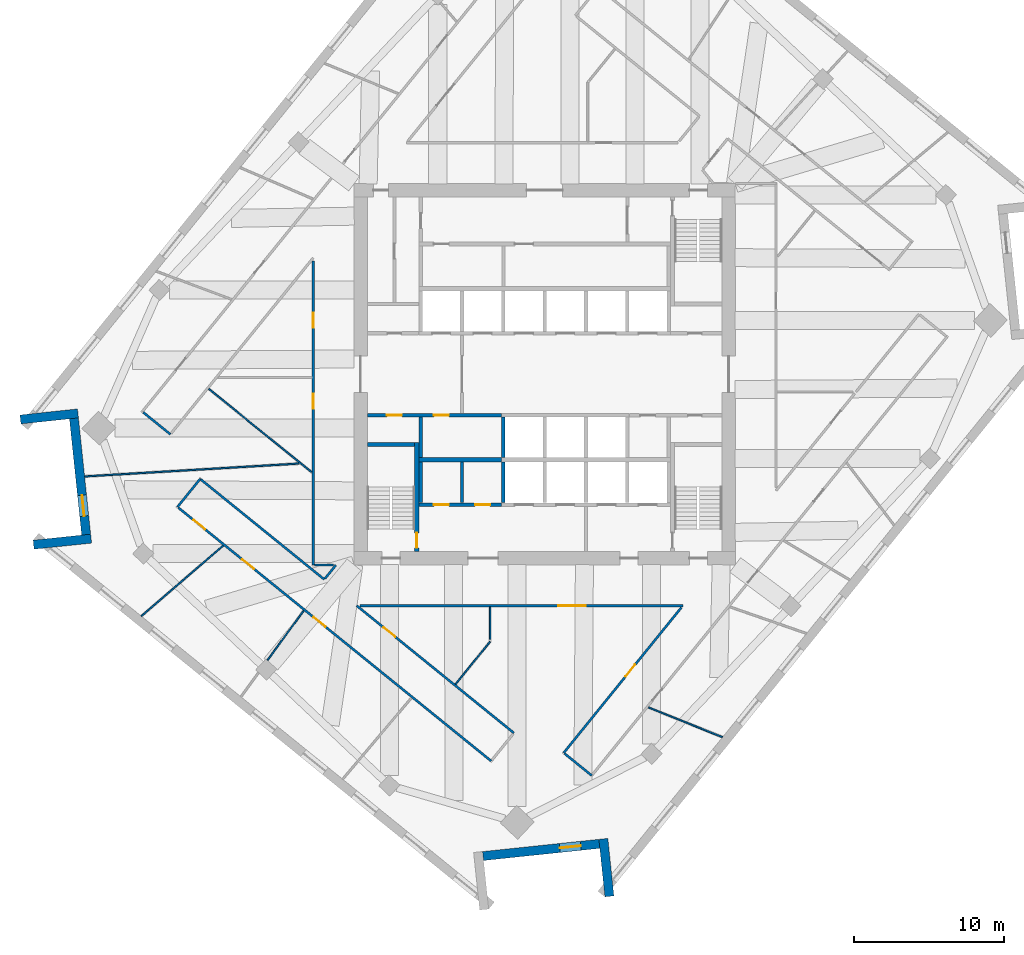
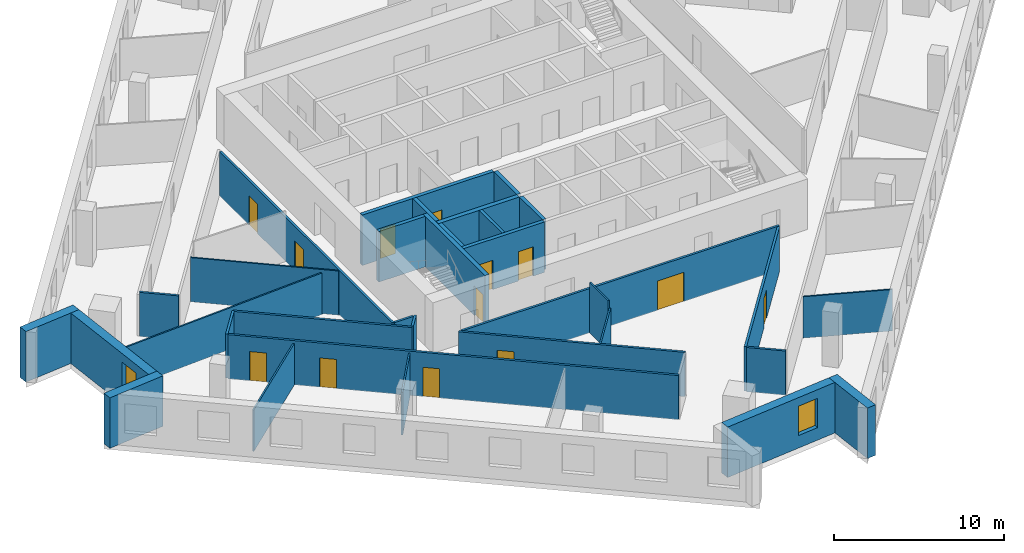
# One storey, part 7 of 14: 33 walls, 13 doors, 2 windows, 15 openings.
"""IFC4 building model written with IfcOpenShell, lengths in metres."""

from ifc_helpers import new_model, si_unit, direction, frame, frame_2d, origin, place, context, subcontext, project, spatial, rectangle, extrude, material, layer, layer_set, type_object, element, fill, save


model = new_model("IFC4")

# Units and contexts
model_context = context("Model", 3, precision=1e-05, world=origin(), true_north=direction((0.0, 1.0)))
body_context = subcontext(model_context, "Body", "Model", "MODEL_VIEW")
ifc_project = project(units=[si_unit("LENGTHUNIT", "METRE"), si_unit("AREAUNIT", "SQUARE_METRE"), si_unit("VOLUMEUNIT", "CUBIC_METRE"), si_unit("PLANEANGLEUNIT", "RADIAN"), si_unit("MASSUNIT", "GRAM", prefix="KILO")], contexts=[model_context])

# Site, building, storey
site_placement = place(None, origin())
site = spatial("IfcSite", under=ifc_project, at=site_placement, CompositionType="ELEMENT")
building_placement = place(site_placement, origin())
building = spatial("IfcBuilding", under=site, at=building_placement, Name="Dilmun Exchange Tower", CompositionType="ELEMENT")
storey_placement = place(building_placement, frame((0.0, 0.0, 229.300048828125)))
storey = spatial("IfcBuildingStorey", under=building, at=storey_placement, Name="L54", CompositionType="ELEMENT", Elevation=229.300048828125)

# Wall
ifc_material_1 = material(Name="Concrete C40/50", Category="concrete")
ifc_layer_1 = layer(ifc_material_1, 0.199951171875)
ifc_layer_set_1 = layer_set([ifc_layer_1], Name="Concrete C40/50")
wall_type_1 = type_object("IfcWallType", Name="Core partition wall 200", PredefinedType="PARTITIONING", material=ifc_layer_set_1)
wall_1_placement = place(storey_placement, frame((-5.5, -8.544921875, 0.0), z_axis=(0.0, 0.0, 1.0), x_axis=(0.0, 1.0, 0.0)))
element("IfcWall", 1, at=wall_1_placement, inside=storey, type_object=wall_type_1, Name="L54 core partition wall 04", PredefinedType="PARTITIONING", context=body_context, shape_type="SweptSolid", body=[
    extrude(rectangle(XDim=2.68994140625, YDim=0.199951171875, at=frame_2d((1.344970703125, 0.0))), origin(), (0.0, 0.0, 1.0), 3.619873046875),
])

# Wall, openings, doors
ifc_layer_2 = layer(ifc_material_1, 0.25)
ifc_layer_set_2 = layer_set([ifc_layer_2], Name="Concrete C40/50")
wall_type_2 = type_object("IfcWallType", Name="Core partition wall 250", PredefinedType="PARTITIONING", material=ifc_layer_set_2)
wall_2_placement = place(storey_placement, frame((-8.3701171875, -8.675048828125, 0.0), z_axis=(0.0, 0.0, 1.0), x_axis=(1.0, 0.0, 0.0)))
wall_2 = element("IfcWall", 2, at=wall_2_placement, inside=storey, type_object=wall_type_2, Name="L54 core partition wall 02", PredefinedType="PARTITIONING", context=body_context, shape_type="SweptSolid", body=[
    extrude(rectangle(XDim=5.490234375, YDim=0.25, at=frame_2d((2.7451171875, 0.0))), origin(), (0.0, 0.0, 1.0), 3.619873046875),
])
opening_1_placement = place(wall_2_placement, frame((0.9951171875, 0.0, 0.0)))
opening_1 = element("IfcOpeningElement", 3, at=opening_1_placement, cuts=wall_2, Name="Opening CD4", PredefinedType="OPENING", context=body_context, shape_type="SweptSolid", body=[
    extrude(rectangle(XDim=1.0, YDim=2.10009765625, at=frame_2d((0.5, 1.050048828125))), frame((0.0, 0.135009765625, 0.0), z_axis=(0.0, -1.0, 0.0), x_axis=(1.0, 0.0, 0.0)), (0.0, 0.0, 1.0), 0.27001953125),
])
opening_2_placement = place(wall_2_placement, frame((3.7451171875, 0.0, 0.0)))
opening_2 = element("IfcOpeningElement", 4, at=opening_2_placement, cuts=wall_2, Name="Opening CD4", PredefinedType="OPENING", context=body_context, shape_type="SweptSolid", body=[
    extrude(rectangle(XDim=1.0, YDim=2.10009765625, at=frame_2d((0.5, 1.050048828125))), frame((0.0, 0.135009765625, 0.0), z_axis=(0.0, -1.0, 0.0), x_axis=(1.0, 0.0, 0.0)), (0.0, 0.0, 1.0), 0.27001953125),
])
ifc_material_2 = material(Name="Fire-rated steel door set", Category="steel")
door_type_1 = type_object("IfcDoorType", Name="Core room door 1000x2100", OperationType="SINGLE_SWING_LEFT", PredefinedType="DOOR", material=ifc_material_2)
door_1_placement = place(opening_1_placement, origin())
door_1 = element("IfcDoor", 5, at=door_1_placement, inside=storey, type_object=door_type_1, Name="L54 door Male WC", OperationType="SINGLE_SWING_LEFT", OverallHeight=2.10009765625, OverallWidth=1.0, PredefinedType="DOOR", context=body_context, shape_type="SweptSolid", body=[
    extrude(rectangle(XDim=1.0, YDim=2.10009765625, at=frame_2d((0.5, 1.050048828125))), frame((0.0, 0.02490234375, 0.0), z_axis=(0.0, -1.0, 0.0), x_axis=(1.0, 0.0, 0.0)), (0.0, 0.0, 1.0), 0.050048828125),
])
fill(opening_1, door_1)
door_2_placement = place(opening_2_placement, origin())
door_2 = element("IfcDoor", 6, at=door_2_placement, inside=storey, type_object=door_type_1, Name="L54 door Female WC", OperationType="SINGLE_SWING_LEFT", OverallHeight=2.10009765625, OverallWidth=1.0, PredefinedType="DOOR", context=body_context, shape_type="SweptSolid", body=[
    extrude(rectangle(XDim=1.0, YDim=2.10009765625, at=frame_2d((0.5, 1.050048828125))), frame((0.0, 0.02490234375, 0.0), z_axis=(0.0, -1.0, 0.0), x_axis=(1.0, 0.0, 0.0)), (0.0, 0.0, 1.0), 0.050048828125),
])
fill(opening_2, door_2)

# Walls
for number, where, z_axis, x_axis, name in (
    (7, (-8.25, -8.544921875, 0.0), (0.0, 0.0, 1.0), (0.0, 1.0, 0.0), "L54 core partition wall 03"),
    (8, (-8.25, -5.544921875, 0.0), (0.0, 0.0, 1.0), (0.0, 1.0, 0.0), "L54 core partition wall 06"),
):
    element("IfcWall", number, at=place(storey_placement, frame(where, z_axis=z_axis, x_axis=x_axis)), inside=storey, type_object=wall_type_2, Name=name, PredefinedType="PARTITIONING", context=body_context, shape_type="SweptSolid", body=[
        extrude(rectangle(XDim=2.68994140625, YDim=0.25, at=frame_2d((1.344970703125, 0.0))), origin(), (0.0, 0.0, 1.0), 3.619873046875),
    ])

# Wall, openings, doors
wall_3_placement = place(storey_placement, frame((-11.794921875, -2.72509765625, 0.0), z_axis=(0.0, 0.0, 1.0), x_axis=(1.0, 0.0, 0.0)))
wall_3 = element("IfcWall", 9, at=wall_3_placement, inside=storey, type_object=wall_type_2, Name="L54 core partition wall 08", PredefinedType="PARTITIONING", context=body_context, shape_type="SweptSolid", body=[
    extrude(rectangle(XDim=8.9150390625, YDim=0.25, at=frame_2d((4.45751953125, 0.0))), origin(), (0.0, 0.0, 1.0), 3.619873046875),
])
opening_3_placement = place(wall_3_placement, frame((1.294921875, 0.0, 0.0)))
opening_3 = element("IfcOpeningElement", 10, at=opening_3_placement, cuts=wall_3, Name="Opening CD4", PredefinedType="OPENING", context=body_context, shape_type="SweptSolid", body=[
    extrude(rectangle(XDim=1.0, YDim=2.10009765625, at=frame_2d((0.5, 1.050048828125))), frame((0.0, 0.135009765625, 0.0), z_axis=(0.0, -1.0, 0.0), x_axis=(1.0, 0.0, 0.0)), (0.0, 0.0, 1.0), 0.27001953125),
])
opening_4_placement = place(wall_3_placement, frame((4.419921875, 0.0, 0.0)))
opening_4 = element("IfcOpeningElement", 11, at=opening_4_placement, cuts=wall_3, Name="Opening CD4", PredefinedType="OPENING", context=body_context, shape_type="SweptSolid", body=[
    extrude(rectangle(XDim=1.0, YDim=2.10009765625, at=frame_2d((0.5, 1.050048828125))), frame((0.0, 0.135009765625, 0.0), z_axis=(0.0, -1.0, 0.0), x_axis=(1.0, 0.0, 0.0)), (0.0, 0.0, 1.0), 0.27001953125),
])
door_3_placement = place(opening_3_placement, origin())
door_3 = element("IfcDoor", 12, at=door_3_placement, inside=storey, type_object=door_type_1, Name="L54 door Accessible WC", OperationType="SINGLE_SWING_LEFT", OverallHeight=2.10009765625, OverallWidth=1.0, PredefinedType="DOOR", context=body_context, shape_type="SweptSolid", body=[
    extrude(rectangle(XDim=1.0, YDim=2.10009765625, at=frame_2d((0.5, 1.050048828125))), frame((0.0, 0.02490234375, 0.0), z_axis=(0.0, -1.0, 0.0), x_axis=(1.0, 0.0, 0.0)), (0.0, 0.0, 1.0), 0.050048828125),
])
fill(opening_3, door_3)
door_4_placement = place(opening_4_placement, origin())
door_4 = element("IfcDoor", 13, at=door_4_placement, inside=storey, type_object=door_type_1, Name="L54 door Archive store", OperationType="SINGLE_SWING_LEFT", OverallHeight=2.10009765625, OverallWidth=1.0, PredefinedType="DOOR", context=body_context, shape_type="SweptSolid", body=[
    extrude(rectangle(XDim=1.0, YDim=2.10009765625, at=frame_2d((0.5, 1.050048828125))), frame((0.0, 0.02490234375, 0.0), z_axis=(0.0, -1.0, 0.0), x_axis=(1.0, 0.0, 0.0)), (0.0, 0.0, 1.0), 0.050048828125),
])
fill(opening_4, door_4)

# Walls
ifc_layer_3 = layer(ifc_material_1, 0.300048828125)
ifc_layer_set_3 = layer_set([ifc_layer_3], Name="Concrete C40/50")
wall_type_3 = type_object("IfcWallType", Name="Core partition wall 300", PredefinedType="PARTITIONING", material=ifc_layer_set_3)
wall_4_placement = place(storey_placement, frame((-8.35009765625, -5.699951171875, 0.0), z_axis=(0.0, 0.0, 1.0), x_axis=(1.0, 0.0, 0.0)))
element("IfcWall", 14, at=wall_4_placement, inside=storey, type_object=wall_type_3, Name="L54 core partition wall 05", PredefinedType="PARTITIONING", context=body_context, shape_type="SweptSolid", body=[
    extrude(rectangle(XDim=5.47021484375, YDim=0.300048828125, at=frame_2d((2.735107421875, 0.0))), origin(), (0.0, 0.0, 1.0), 3.619873046875),
])
ifc_material_3 = material(Name="Corridor wall 150")
ifc_layer_4 = layer(ifc_material_3, 0.14990234375)
ifc_layer_set_4 = layer_set([ifc_layer_4], Name="Corridor wall 150")
wall_type_4 = type_object("IfcWallType", Name="Corridor wall 150", PredefinedType="PARTITIONING", material=ifc_layer_set_4)
wall_5_placement = place(storey_placement, frame((-26.710693359375, -2.5341796875, 0.0), z_axis=(0.0, 0.0, 1.0), x_axis=(0.777166601342, -0.62929490206, 0.0)))
element("IfcWall", 15, at=wall_5_placement, inside=storey, type_object=wall_type_4, Name="Corridor wall", PredefinedType="PARTITIONING", context=body_context, shape_type="SweptSolid", body=[
    extrude(rectangle(XDim=2.32470703125, YDim=0.14990234375, at=frame_2d((1.162353515625, 0.0))), origin(), (0.0, 0.0, 1.0), 3.169921875),
])
wall_6_placement = place(storey_placement, frame((-24.431884765625, -8.8310546875, 0.0), z_axis=(0.0, 0.0, 1.0), x_axis=(0.629201155621, 0.77724250126, 0.0)))
element("IfcWall", 16, at=wall_6_placement, inside=storey, type_object=wall_type_4, Name="Corridor wall", PredefinedType="PARTITIONING", context=body_context, shape_type="SweptSolid", body=[
    extrude(rectangle(XDim=2.3994140625, YDim=0.14990234375, at=frame_2d((1.19970703125, 0.0))), origin(), (0.0, 0.0, 1.0), 3.169921875),
])

# Wall, openings, doors
wall_7_placement = place(storey_placement, frame((-24.373779296875, -8.878173828125, 0.0), z_axis=(0.0, 0.0, 1.0), x_axis=(0.777132572121, -0.629336925143, 0.0)))
wall_7 = element("IfcWall", 17, at=wall_7_placement, inside=storey, type_object=wall_type_4, Name="Corridor wall", PredefinedType="PARTITIONING", context=body_context, shape_type="SweptSolid", body=[
    extrude(rectangle(XDim=26.78515625, YDim=0.14990234375, at=frame_2d((13.392578125, 0.0))), origin(), (0.0, 0.0, 1.0), 3.169921875),
])
opening_5_placement = place(wall_7_placement, frame((1.300048828125, 0.0, 0.0)))
opening_5 = element("IfcOpeningElement", 18, at=opening_5_placement, cuts=wall_7, Name="Opening TF53-D02", PredefinedType="OPENING", context=body_context, shape_type="SweptSolid", body=[
    extrude(rectangle(XDim=1.0, YDim=2.10009765625, at=frame_2d((0.5, 1.050048828125))), frame((0.0, 0.0849609375, 0.0), z_axis=(0.0, -1.0, 0.0), x_axis=(1.0, 0.0, 0.0)), (0.0, 0.0, 1.0), 0.169921875),
])
opening_6_placement = place(wall_7_placement, frame((5.46142578125, 0.0, 0.0)))
opening_6 = element("IfcOpeningElement", 19, at=opening_6_placement, cuts=wall_7, Name="Opening TF53-D03", PredefinedType="OPENING", context=body_context, shape_type="SweptSolid", body=[
    extrude(rectangle(XDim=1.0, YDim=2.10009765625, at=frame_2d((0.5, 1.050048828125))), frame((0.0, 0.0849609375, 0.0), z_axis=(0.0, -1.0, 0.0), x_axis=(1.0, 0.0, 0.0)), (0.0, 0.0, 1.0), 0.169921875),
])
opening_7_placement = place(wall_7_placement, frame((11.586669921875, 0.0, 0.0)))
opening_7 = element("IfcOpeningElement", 20, at=opening_7_placement, cuts=wall_7, Name="Opening TF53-D08", PredefinedType="OPENING", context=body_context, shape_type="SweptSolid", body=[
    extrude(rectangle(XDim=1.0, YDim=2.10009765625, at=frame_2d((0.5, 1.050048828125))), frame((0.0, 0.0849609375, 0.0), z_axis=(0.0, -1.0, 0.0), x_axis=(1.0, 0.0, 0.0)), (0.0, 0.0, 1.0), 0.169921875),
])
ifc_material_4 = material(Name="Fire door 1000 x 2100")
door_type_2 = type_object("IfcDoorType", Name="Fire door 1000 x 2100", OperationType="NOTDEFINED", PredefinedType="DOOR", material=ifc_material_4)
door_5_placement = place(opening_5_placement, frame((1.0, 0.0, 0.0), z_axis=(0.0, 0.0, 1.0), x_axis=(-1.0, 0.0, 0.0)))
door_5 = element("IfcDoor", 21, at=door_5_placement, inside=storey, type_object=door_type_2, Name="Door TF53-D02", OperationType="SINGLE_SWING_LEFT", OverallHeight=2.10009765625, OverallWidth=1.0, PredefinedType="DOOR", context=body_context, shape_type="SweptSolid", body=[
    extrude(rectangle(XDim=1.0, YDim=2.10009765625, at=frame_2d((0.5, 1.050048828125))), frame((0.0, 0.02490234375, 0.0), z_axis=(0.0, -1.0, 0.0), x_axis=(1.0, 0.0, 0.0)), (0.0, 0.0, 1.0), 0.050048828125),
])
fill(opening_5, door_5)
door_6_placement = place(opening_6_placement, frame((1.0, 0.0, 0.0), z_axis=(0.0, 0.0, 1.0), x_axis=(-1.0, 0.0, 0.0)))
door_6 = element("IfcDoor", 22, at=door_6_placement, inside=storey, type_object=door_type_2, Name="Door TF53-D03", OperationType="SINGLE_SWING_LEFT", OverallHeight=2.10009765625, OverallWidth=1.0, PredefinedType="DOOR", context=body_context, shape_type="SweptSolid", body=[
    extrude(rectangle(XDim=1.0, YDim=2.10009765625, at=frame_2d((0.5, 1.050048828125))), frame((0.0, 0.02490234375, 0.0), z_axis=(0.0, -1.0, 0.0), x_axis=(1.0, 0.0, 0.0)), (0.0, 0.0, 1.0), 0.050048828125),
])
fill(opening_6, door_6)
door_7_placement = place(opening_7_placement, frame((1.0, 0.0, 0.0), z_axis=(0.0, 0.0, 1.0), x_axis=(-1.0, 0.0, 0.0)))
door_7 = element("IfcDoor", 23, at=door_7_placement, inside=storey, type_object=door_type_2, Name="Door TF53-D08", OperationType="SINGLE_SWING_RIGHT", OverallHeight=2.10009765625, OverallWidth=1.0, PredefinedType="DOOR", context=body_context, shape_type="SweptSolid", body=[
    extrude(rectangle(XDim=1.0, YDim=2.10009765625, at=frame_2d((0.5, 1.050048828125))), frame((0.0, 0.02490234375, 0.0), z_axis=(0.0, -1.0, 0.0), x_axis=(1.0, 0.0, 0.0)), (0.0, 0.0, 1.0), 0.050048828125),
])
fill(opening_7, door_7)

# Wall
wall_8_placement = place(storey_placement, frame((-22.922119140625, -6.965087890625, 0.0), z_axis=(0.0, 0.0, 1.0), x_axis=(0.777148029431, -0.629317837306, 0.0)))
element("IfcWall", 24, at=wall_8_placement, inside=storey, type_object=wall_type_4, Name="Corridor wall", PredefinedType="PARTITIONING", context=body_context, shape_type="SweptSolid", body=[
    extrude(rectangle(XDim=10.62744140625, YDim=0.14990234375, at=frame_2d((5.313720703125, 0.0))), origin(), (0.0, 0.0, 1.0), 3.169921875),
])

# Wall, openings, doors
wall_9_placement = place(storey_placement, frame((-15.39990234375, -12.699951171875, 0.0), z_axis=(0.0, 0.0, 1.0), x_axis=(0.0, 1.0, 0.0)))
wall_9 = element("IfcWall", 25, at=wall_9_placement, inside=storey, type_object=wall_type_4, Name="Corridor wall", PredefinedType="PARTITIONING", context=body_context, shape_type="SweptSolid", body=[
    extrude(rectangle(XDim=20.22705078125, YDim=0.14990234375, at=frame_2d((10.113525390625, 0.0))), origin(), (0.0, 0.0, 1.0), 3.169921875),
])
opening_8_placement = place(wall_9_placement, frame((10.399658203125, 0.0, 0.0)))
opening_8 = element("IfcOpeningElement", 26, at=opening_8_placement, cuts=wall_9, Name="Opening TF53-D05", PredefinedType="OPENING", context=body_context, shape_type="SweptSolid", body=[
    extrude(rectangle(XDim=1.0, YDim=2.10009765625, at=frame_2d((0.5, 1.050048828125))), frame((0.0, 0.0849609375, 0.0), z_axis=(0.0, -1.0, 0.0), x_axis=(1.0, 0.0, 0.0)), (0.0, 0.0, 1.0), 0.169921875),
])
opening_9_placement = place(wall_9_placement, frame((15.7841796875, 0.0, 0.0)))
opening_9 = element("IfcOpeningElement", 27, at=opening_9_placement, cuts=wall_9, Name="Opening TF53-D06", PredefinedType="OPENING", context=body_context, shape_type="SweptSolid", body=[
    extrude(rectangle(XDim=1.0, YDim=2.10009765625, at=frame_2d((0.5, 1.050048828125))), frame((0.0, 0.0849609375, 0.0), z_axis=(0.0, -1.0, 0.0), x_axis=(1.0, 0.0, 0.0)), (0.0, 0.0, 1.0), 0.169921875),
])
door_8_placement = place(opening_8_placement, origin())
door_8 = element("IfcDoor", 28, at=door_8_placement, inside=storey, type_object=door_type_2, Name="Door TF53-D05", OperationType="SINGLE_SWING_RIGHT", OverallHeight=2.10009765625, OverallWidth=1.0, PredefinedType="DOOR", context=body_context, shape_type="SweptSolid", body=[
    extrude(rectangle(XDim=1.0, YDim=2.10009765625, at=frame_2d((0.5, 1.050048828125))), frame((0.0, 0.02490234375, 0.0), z_axis=(0.0, -1.0, 0.0), x_axis=(1.0, 0.0, 0.0)), (0.0, 0.0, 1.0), 0.050048828125),
])
fill(opening_8, door_8)
door_9_placement = place(opening_9_placement, origin())
door_9 = element("IfcDoor", 29, at=door_9_placement, inside=storey, type_object=door_type_2, Name="Door TF53-D06", OperationType="SINGLE_SWING_LEFT", OverallHeight=2.10009765625, OverallWidth=1.0, PredefinedType="DOOR", context=body_context, shape_type="SweptSolid", body=[
    extrude(rectangle(XDim=1.0, YDim=2.10009765625, at=frame_2d((0.5, 1.050048828125))), frame((0.0, 0.02490234375, 0.0), z_axis=(0.0, -1.0, 0.0), x_axis=(1.0, 0.0, 0.0)), (0.0, 0.0, 1.0), 0.050048828125),
])
fill(opening_9, door_9)

# Walls
wall_10_placement = place(storey_placement, frame((-15.324951171875, -12.699951171875, 0.0), z_axis=(0.0, 0.0, 1.0), x_axis=(1.0, 0.0, 0.0)))
element("IfcWall", 30, at=wall_10_placement, inside=storey, type_object=wall_type_4, Name="Corridor wall", PredefinedType="PARTITIONING", context=body_context, shape_type="SweptSolid", body=[
    extrude(rectangle(XDim=1.276611328125, YDim=0.14990234375, at=frame_2d((0.63818359375, 0.0))), origin(), (0.0, 0.0, 1.0), 3.169921875),
])
wall_11_placement = place(storey_placement, frame((-14.61572265625, -13.5947265625, 0.0), z_axis=(0.0, 0.0, 1.0), x_axis=(0.629338514223, 0.777131285251, 0.0)))
element("IfcWall", 31, at=wall_11_placement, inside=storey, type_object=wall_type_4, Name="Corridor wall", PredefinedType="PARTITIONING", context=body_context, shape_type="SweptSolid", body=[
    extrude(rectangle(XDim=1.1513671875, YDim=0.14990234375, at=frame_2d((0.57568359375, 0.0))), origin(), (0.0, 0.0, 1.0), 3.169921875),
])

# Wall, opening, door
wall_12_placement = place(storey_placement, frame((-12.5048828125, -15.39990234375, 0.0), z_axis=(0.0, 0.0, 1.0), x_axis=(0.77712909422, -0.629341219783, 0.0)))
wall_12 = element("IfcWall", 32, at=wall_12_placement, inside=storey, type_object=wall_type_4, Name="Corridor wall", PredefinedType="PARTITIONING", context=body_context, shape_type="SweptSolid", body=[
    extrude(rectangle(XDim=13.45703125, YDim=0.14990234375, at=frame_2d((6.728515625, 0.0))), origin(), (0.0, 0.0, 1.0), 3.169921875),
])
opening_10_placement = place(wall_12_placement, frame((2.300048828125, 0.0, 0.0)))
opening_10 = element("IfcOpeningElement", 33, at=opening_10_placement, cuts=wall_12, Name="Opening TF53-D10", PredefinedType="OPENING", context=body_context, shape_type="SweptSolid", body=[
    extrude(rectangle(XDim=1.0, YDim=2.10009765625, at=frame_2d((0.5, 1.050048828125))), frame((0.0, 0.0849609375, 0.0), z_axis=(0.0, -1.0, 0.0), x_axis=(1.0, 0.0, 0.0)), (0.0, 0.0, 1.0), 0.169921875),
])
door_10_placement = place(opening_10_placement, origin())
door_10 = element("IfcDoor", 34, at=door_10_placement, inside=storey, type_object=door_type_2, Name="Door TF53-D10", OperationType="SINGLE_SWING_RIGHT", OverallHeight=2.10009765625, OverallWidth=1.0, PredefinedType="DOOR", context=body_context, shape_type="SweptSolid", body=[
    extrude(rectangle(XDim=1.0, YDim=2.10009765625, at=frame_2d((0.5, 1.050048828125))), frame((0.0, 0.02490234375, 0.0), z_axis=(0.0, -1.0, 0.0), x_axis=(1.0, 0.0, 0.0)), (0.0, 0.0, 1.0), 0.050048828125),
])
fill(opening_10, door_10)

wall_13_placement = place(storey_placement, frame((-12.293212890625, -15.39990234375, 0.0), z_axis=(0.0, 0.0, 1.0), x_axis=(1.0, 0.0, 0.0)))
wall_13 = element("IfcWall", 35, at=wall_13_placement, inside=storey, type_object=wall_type_4, Name="Corridor wall", PredefinedType="PARTITIONING", context=body_context, shape_type="SweptSolid", body=[
    extrude(rectangle(XDim=21.4892578125, YDim=0.14990234375, at=frame_2d((10.74462890625, 0.0))), origin(), (0.0, 0.0, 1.0), 3.169921875),
])
opening_11_placement = place(wall_13_placement, frame((13.21240234375, 0.0, 0.0)))
opening_11 = element("IfcOpeningElement", 36, at=opening_11_placement, cuts=wall_13, Name="Opening TF53-D11", PredefinedType="OPENING", context=body_context, shape_type="SweptSolid", body=[
    extrude(rectangle(XDim=1.800048828125, YDim=2.10009765625, at=frame_2d((0.89990234375, 1.050048828125))), frame((0.0, 0.0849609375, 0.0), z_axis=(0.0, -1.0, 0.0), x_axis=(1.0, 0.0, 0.0)), (0.0, 0.0, 1.0), 0.169921875),
])
ifc_material_5 = material(Name="Fire door pair 1800 x 2100")
door_type_3 = type_object("IfcDoorType", Name="Fire door pair 1800 x 2100", OperationType="NOTDEFINED", PredefinedType="DOOR", material=ifc_material_5)
door_11_placement = place(opening_11_placement, frame((1.800048828125, 0.0, 0.0), z_axis=(0.0, 0.0, 1.0), x_axis=(-1.0, 0.0, 0.0)))
door_11 = element("IfcDoor", 37, at=door_11_placement, inside=storey, type_object=door_type_3, Name="Door TF53-D11", OperationType="DOUBLE_DOOR_SINGLE_SWING", OverallHeight=2.10009765625, OverallWidth=1.800048828125, PredefinedType="DOOR", context=body_context, shape_type="SweptSolid", body=[
    extrude(rectangle(XDim=1.800048828125, YDim=2.10009765625, at=frame_2d((0.89990234375, 1.050048828125))), frame((0.0, 0.02490234375, 0.0), z_axis=(0.0, -1.0, 0.0), x_axis=(1.0, 0.0, 0.0)), (0.0, 0.0, 1.0), 0.050048828125),
])
fill(opening_11, door_11)

wall_14_placement = place(storey_placement, frame((1.26806640625, -25.19091796875, 0.0), z_axis=(0.0, 0.0, 1.0), x_axis=(0.629298143895, 0.777163976321, 0.0)))
wall_14 = element("IfcWall", 38, at=wall_14_placement, inside=storey, type_object=wall_type_4, Name="Corridor wall", PredefinedType="PARTITIONING", context=body_context, shape_type="SweptSolid", body=[
    extrude(rectangle(XDim=12.44091796875, YDim=0.14990234375, at=frame_2d((6.220458984375, 0.0))), origin(), (0.0, 0.0, 1.0), 3.169921875),
])
opening_12_placement = place(wall_14_placement, frame((6.55029296875, 0.0, 0.0)))
opening_12 = element("IfcOpeningElement", 39, at=opening_12_placement, cuts=wall_14, Name="Opening TF53-D12", PredefinedType="OPENING", context=body_context, shape_type="SweptSolid", body=[
    extrude(rectangle(XDim=1.0, YDim=2.10009765625, at=frame_2d((0.5, 1.050048828125))), frame((0.0, 0.0849609375, 0.0), z_axis=(0.0, -1.0, 0.0), x_axis=(1.0, 0.0, 0.0)), (0.0, 0.0, 1.0), 0.169921875),
])
door_12_placement = place(opening_12_placement, origin())
door_12 = element("IfcDoor", 40, at=door_12_placement, inside=storey, type_object=door_type_2, Name="Door TF53-D12", OperationType="SINGLE_SWING_LEFT", OverallHeight=2.10009765625, OverallWidth=1.0, PredefinedType="DOOR", context=body_context, shape_type="SweptSolid", body=[
    extrude(rectangle(XDim=1.0, YDim=2.10009765625, at=frame_2d((0.5, 1.050048828125))), frame((0.0, 0.02490234375, 0.0), z_axis=(0.0, -1.0, 0.0), x_axis=(1.0, 0.0, 0.0)), (0.0, 0.0, 1.0), 0.050048828125),
])
fill(opening_12, door_12)

# Walls
wall_15_placement = place(storey_placement, frame((1.326416015625, -25.23828125, 0.0), z_axis=(0.0, 0.0, 1.0), x_axis=(0.777217965191, -0.629231463441, 0.0)))
element("IfcWall", 41, at=wall_15_placement, inside=storey, type_object=wall_type_4, Name="Corridor wall", PredefinedType="PARTITIONING", context=body_context, shape_type="SweptSolid", body=[
    extrude(rectangle(XDim=2.324462890625, YDim=0.14990234375, at=frame_2d((1.162109375, 0.0))), origin(), (0.0, 0.0, 1.0), 3.169921875),
])
ifc_layer_5 = layer(ifc_material_1, 0.25)
ifc_layer_set_5 = layer_set([ifc_layer_5], Name="Concrete C40/50")
wall_type_5 = type_object("IfcWallType", Name="Lift shaft wall 250", PredefinedType="SOLIDWALL", material=ifc_layer_set_5)
for number, where, z_axis, x_axis, name in (
    (42, (-2.75, -5.550048828125, 0.0), (0.0, 0.0, 1.0), (0.0, 1.0, 0.0), "L54 lift shaft divider S12"),
    (43, (-2.75, -8.550048828125, 0.0), (0.0, 0.0, 1.0), (0.0, 1.0, 0.0), "L54 lift shaft divider S22"),
):
    element("IfcWall", number, at=place(storey_placement, frame(where, z_axis=z_axis, x_axis=x_axis)), inside=storey, type_object=wall_type_5, Name=name, PredefinedType="SOLIDWALL", context=body_context, shape_type="SweptSolid", body=[
        extrude(rectangle(XDim=2.699951171875, YDim=0.25, at=frame_2d((1.35009765625, 0.0))), origin(), (0.0, 0.0, 1.0), 3.619873046875),
    ])
ifc_material_6 = material(Name="Partition 100")
ifc_layer_6 = layer(ifc_material_6, 0.10009765625)
ifc_layer_set_6 = layer_set([ifc_layer_6], Name="Partition 100")
wall_type_6 = type_object("IfcWallType", Name="Partition 100", PredefinedType="PARTITIONING", material=ifc_layer_set_6)
wall_16_placement = place(storey_placement, frame((-30.610107421875, -6.7998046875, 0.0), z_axis=(0.0, 0.0, 1.0), x_axis=(0.998198116096, 0.060004341699, 0.0)))
element("IfcWall", 44, at=wall_16_placement, inside=storey, type_object=wall_type_6, Name="Partition", PredefinedType="PARTITIONING", context=body_context, shape_type="SweptSolid", body=[
    extrude(rectangle(XDim=14.28515625, YDim=0.10009765625, at=frame_2d((7.142578125, 0.0))), origin(), (0.0, 0.0, 1.0), 2.969970703125),
])
wall_17_placement = place(storey_placement, frame((-26.837158203125, -16.095703125, 0.0), z_axis=(0.0, 0.0, 1.0), x_axis=(0.757242011922, 0.653134393046, 0.0)))
element("IfcWall", 45, at=wall_17_placement, inside=storey, type_object=wall_type_6, Name="Partition", PredefinedType="PARTITIONING", context=body_context, shape_type="SweptSolid", body=[
    extrude(rectangle(XDim=7.18994140625, YDim=0.10009765625, at=frame_2d((3.594970703125, 0.0))), origin(), (0.0, 0.0, 1.0), 2.969970703125),
])
wall_18_placement = place(storey_placement, frame((-22.354736328125, -0.96826171875, 0.0), z_axis=(0.0, 0.0, 1.0), x_axis=(0.777138402267, -0.629329725757, 0.0)))
element("IfcWall", 46, at=wall_18_placement, inside=storey, type_object=wall_type_6, Name="Partition", PredefinedType="PARTITIONING", context=body_context, shape_type="SweptSolid", body=[
    extrude(rectangle(XDim=8.81201171875, YDim=0.10009765625, at=frame_2d((4.406005859375, 0.0))), origin(), (0.0, 0.0, 1.0), 3.169921875),
])
wall_19_placement = place(storey_placement, frame((-18.441162109375, -19.0341796875, 0.0), z_axis=(0.0, 0.0, 1.0), x_axis=(0.588267582256, 0.808666341371, 0.0)))
element("IfcWall", 47, at=wall_19_placement, inside=storey, type_object=wall_type_6, Name="Partition", PredefinedType="PARTITIONING", context=body_context, shape_type="SweptSolid", body=[
    extrude(rectangle(XDim=4.08740234375, YDim=0.10009765625, at=frame_2d((2.043701171875, 0.0))), origin(), (0.0, 0.0, 1.0), 3.050048828125),
])
wall_20_placement = place(storey_placement, frame((-5.9296875, -20.628662109375, 0.0), z_axis=(0.0, 0.0, 1.0), x_axis=(0.629175159383, 0.777263545277, 0.0)))
element("IfcWall", 48, at=wall_20_placement, inside=storey, type_object=wall_type_6, Name="Partition", PredefinedType="PARTITIONING", context=body_context, shape_type="SweptSolid", body=[
    extrude(rectangle(XDim=3.6533203125, YDim=0.10009765625, at=frame_2d((1.82666015625, 0.0))), origin(), (0.0, 0.0, 1.0), 3.169921875),
])
wall_21_placement = place(storey_placement, frame((-3.631103515625, -17.647705078125, 0.0), z_axis=(0.0, 0.0, 1.0), x_axis=(0.0, 1.0, 0.0)))
element("IfcWall", 49, at=wall_21_placement, inside=storey, type_object=wall_type_6, Name="Partition", PredefinedType="PARTITIONING", context=body_context, shape_type="SweptSolid", body=[
    extrude(rectangle(XDim=2.172607421875, YDim=0.10009765625, at=frame_2d((1.08642578125, 0.0))), origin(), (0.0, 0.0, 1.0), 3.619873046875),
])
wall_22_placement = place(storey_placement, frame((6.9150390625, -22.173095703125, 0.0), z_axis=(0.0, 0.0, 1.0), x_axis=(0.928028539505, -0.372509100377, 0.0)))
element("IfcWall", 50, at=wall_22_placement, inside=storey, type_object=wall_type_6, Name="Partition", PredefinedType="PARTITIONING", context=body_context, shape_type="SweptSolid", body=[
    extrude(rectangle(XDim=5.305419921875, YDim=0.10009765625, at=frame_2d((2.65283203125, 0.0))), origin(), (0.0, 0.0, 1.0), 2.969970703125),
])
ifc_material_7 = material(Name="Precast concrete C50/60", Category="concrete")
ifc_layer_7 = layer(ifc_material_7, 0.60009765625)
ifc_layer_set_7 = layer_set([ifc_layer_7], Name="Precast concrete C50/60")
wall_type_7 = type_object("IfcWallType", Name="Precast stone-clad wall 600", PredefinedType="STANDARD", material=ifc_layer_set_7)
wall_23_placement = place(storey_placement, frame((-34.87841796875, -3.0087890625, 0.0), z_axis=(0.0, 0.0, 1.0), x_axis=(0.994521092097, 0.104536105602, 0.0)))
element("IfcWall", 51, at=wall_23_placement, inside=storey, type_object=wall_type_7, Name="Facade wall L54-04", PredefinedType="STANDARD", context=body_context, shape_type="SweptSolid", body=[
    extrude(rectangle(XDim=3.846435546875, YDim=0.60009765625, at=frame_2d((1.92333984375, 0.0))), origin(), (0.0, 0.0, 1.0), 3.619873046875),
])

# Wall, opening, window
wall_24_placement = place(storey_placement, frame((-31.320068359375, -2.936279296875, 0.0), z_axis=(0.0, 0.0, 1.0), x_axis=(0.104552439276, -0.994519375096, 0.0)))
wall_24 = element("IfcWall", 52, at=wall_24_placement, inside=storey, type_object=wall_type_7, Name="Facade wall L54-05", PredefinedType="STANDARD", context=body_context, shape_type="SweptSolid", body=[
    extrude(rectangle(XDim=7.7783203125, YDim=0.60009765625, at=frame_2d((3.88916015625, 0.0))), origin(), (0.0, 0.0, 1.0), 3.619873046875),
])
opening_13_placement = place(wall_24_placement, frame((5.133544921875, 0.0, 0.89990234375)))
opening_13 = element("IfcOpeningElement", 53, at=opening_13_placement, cuts=wall_24, Name="Opening W140-210", PredefinedType="OPENING", context=body_context, shape_type="SweptSolid", body=[
    extrude(rectangle(XDim=1.39990234375, YDim=2.10009765625, at=frame_2d((0.699951171875, 1.050048828125))), frame((0.0, 0.31005859375, 0.0), z_axis=(0.0, -1.0, 0.0), x_axis=(1.0, 0.0, 0.0)), (0.0, 0.0, 1.0), 0.6201171875),
])
ifc_material_8 = material(Name="Clear low-emissivity glass in aluminium frame", Category="aluminium")
window_type = type_object("IfcWindowType", Name="Punched window 1400 x 2100", PartitioningType="DOUBLE_PANEL_VERTICAL", PredefinedType="WINDOW", material=ifc_material_8)
window_1_placement = place(opening_13_placement, origin())
window_1 = element("IfcWindow", 54, at=window_1_placement, inside=storey, type_object=window_type, Name="Window 6.2", OverallHeight=2.10009765625, OverallWidth=1.39990234375, PartitioningType="SINGLE_PANEL", PredefinedType="WINDOW", context=body_context, shape_type="SweptSolid", body=[
    extrude(rectangle(XDim=1.39990234375, YDim=2.10009765625, at=frame_2d((0.699951171875, 1.050048828125))), frame((0.0, 0.030029296875, 0.0), z_axis=(0.0, -1.0, 0.0), x_axis=(1.0, 0.0, 0.0)), (0.0, 0.0, 1.0), 0.06005859375),
])
fill(opening_13, window_1)

# Wall
wall_25_placement = place(storey_placement, frame((-30.17724609375, -10.93896484375, 0.0), z_axis=(0.0, 0.0, 1.0), x_axis=(-0.994521092097, -0.104536105602, 0.0)))
element("IfcWall", 55, at=wall_25_placement, inside=storey, type_object=wall_type_7, Name="Facade wall L54-06", PredefinedType="STANDARD", context=body_context, shape_type="SweptSolid", body=[
    extrude(rectangle(XDim=3.846435546875, YDim=0.60009765625, at=frame_2d((1.92333984375, 0.0))), origin(), (0.0, 0.0, 1.0), 3.619873046875),
])

# Wall, opening, window
wall_26_placement = place(storey_placement, frame((-4.095947265625, -32.05908203125, 0.0), z_axis=(0.0, 0.0, 1.0), x_axis=(0.994522638298, 0.104521394525, 0.0)))
wall_26 = element("IfcWall", 56, at=wall_26_placement, inside=storey, type_object=wall_type_7, Name="Facade wall L54-09", PredefinedType="STANDARD", context=body_context, shape_type="SweptSolid", body=[
    extrude(rectangle(XDim=7.7783203125, YDim=0.60009765625, at=frame_2d((3.88916015625, 0.0))), origin(), (0.0, 0.0, 1.0), 3.619873046875),
])
opening_14_placement = place(wall_26_placement, frame((5.133544921875, 0.0, 0.89990234375)))
opening_14 = element("IfcOpeningElement", 57, at=opening_14_placement, cuts=wall_26, Name="Opening W140-210", PredefinedType="OPENING", context=body_context, shape_type="SweptSolid", body=[
    extrude(rectangle(XDim=1.39990234375, YDim=2.10009765625, at=frame_2d((0.699951171875, 1.050048828125))), frame((0.0, 0.31005859375, 0.0), z_axis=(0.0, -1.0, 0.0), x_axis=(1.0, 0.0, 0.0)), (0.0, 0.0, 1.0), 0.6201171875),
])
window_2_placement = place(opening_14_placement, origin())
window_2 = element("IfcWindow", 58, at=window_2_placement, inside=storey, type_object=window_type, Name="Window 10.2", OverallHeight=2.10009765625, OverallWidth=1.39990234375, PartitioningType="SINGLE_PANEL", PredefinedType="WINDOW", context=body_context, shape_type="SweptSolid", body=[
    extrude(rectangle(XDim=1.39990234375, YDim=2.10009765625, at=frame_2d((0.699951171875, 1.050048828125))), frame((0.0, 0.030029296875, 0.0), z_axis=(0.0, -1.0, 0.0), x_axis=(1.0, 0.0, 0.0)), (0.0, 0.0, 1.0), 0.06005859375),
])
fill(opening_14, window_2)

# Walls
wall_27_placement = place(storey_placement, frame((3.906494140625, -30.91650390625, 0.0), z_axis=(0.0, 0.0, 1.0), x_axis=(0.104542704635, -0.994520398437, 0.0)))
element("IfcWall", 59, at=wall_27_placement, inside=storey, type_object=wall_type_7, Name="Facade wall L54-10", PredefinedType="STANDARD", context=body_context, shape_type="SweptSolid", body=[
    extrude(rectangle(XDim=3.84619140625, YDim=0.60009765625, at=frame_2d((1.923095703125, 0.0))), origin(), (0.0, 0.0, 1.0), 3.619873046875),
])
ifc_layer_8 = layer(ifc_material_1, 0.25)
ifc_layer_set_8 = layer_set([ifc_layer_8], Name="Concrete C40/50")
wall_type_8 = type_object("IfcWallType", Name="Stair end wall 250", PredefinedType="SOLIDWALL", material=ifc_layer_set_8)
wall_28_placement = place(storey_placement, frame((-8.64990234375, -4.675048828125, 0.0), z_axis=(0.0, 0.0, 1.0), x_axis=(-1.0, 0.0, 0.0)))
element("IfcWall", 60, at=wall_28_placement, inside=storey, type_object=wall_type_8, Name="L54 ST2 far wall", PredefinedType="SOLIDWALL", context=body_context, shape_type="SweptSolid", body=[
    extrude(rectangle(XDim=3.150146484375, YDim=0.25, at=frame_2d((1.5751953125, 0.0))), origin(), (0.0, 0.0, 1.0), 3.619873046875),
])

# Wall, opening, door
ifc_layer_9 = layer(ifc_material_1, 0.27490234375)
ifc_layer_set_9 = layer_set([ifc_layer_9], Name="Concrete C40/50")
wall_type_9 = type_object("IfcWallType", Name="Stair wall 275", PredefinedType="SOLIDWALL", material=ifc_layer_set_9)
wall_29_placement = place(storey_placement, frame((-8.512451171875, -4.550048828125, 0.0), z_axis=(0.0, 0.0, 1.0), x_axis=(0.0, -1.0, 0.0)))
wall_29 = element("IfcWall", 61, at=wall_29_placement, inside=storey, type_object=wall_type_9, Name="L54 ST2 wall to lift block", PredefinedType="SOLIDWALL", context=body_context, shape_type="SweptSolid", body=[
    extrude(rectangle(XDim=7.25, YDim=0.27490234375, at=frame_2d((3.625, 0.0))), origin(), (0.0, 0.0, 1.0), 3.619873046875),
])
opening_15_placement = place(wall_29_placement, frame((6.0, 0.0, 0.0)))
opening_15 = element("IfcOpeningElement", 62, at=opening_15_placement, cuts=wall_29, Name="Opening CD4", PredefinedType="OPENING", context=body_context, shape_type="SweptSolid", body=[
    extrude(rectangle(XDim=1.0, YDim=2.10009765625, at=frame_2d((0.5, 1.050048828125))), frame((0.0, 0.1474609375, 0.0), z_axis=(0.0, -1.0, 0.0), x_axis=(1.0, 0.0, 0.0)), (0.0, 0.0, 1.0), 0.294921875),
])
door_13_placement = place(opening_15_placement, origin())
door_13 = element("IfcDoor", 63, at=door_13_placement, inside=storey, type_object=door_type_1, Name="L54 door ST2 from lobby", OperationType="SINGLE_SWING_LEFT", OverallHeight=2.10009765625, OverallWidth=1.0, PredefinedType="DOOR", context=body_context, shape_type="SweptSolid", body=[
    extrude(rectangle(XDim=1.0, YDim=2.10009765625, at=frame_2d((0.5, 1.050048828125))), frame((0.0, 0.02490234375, 0.0), z_axis=(0.0, -1.0, 0.0), x_axis=(1.0, 0.0, 0.0)), (0.0, 0.0, 1.0), 0.050048828125),
])
fill(opening_15, door_13)

save(model, "model.ifc")
